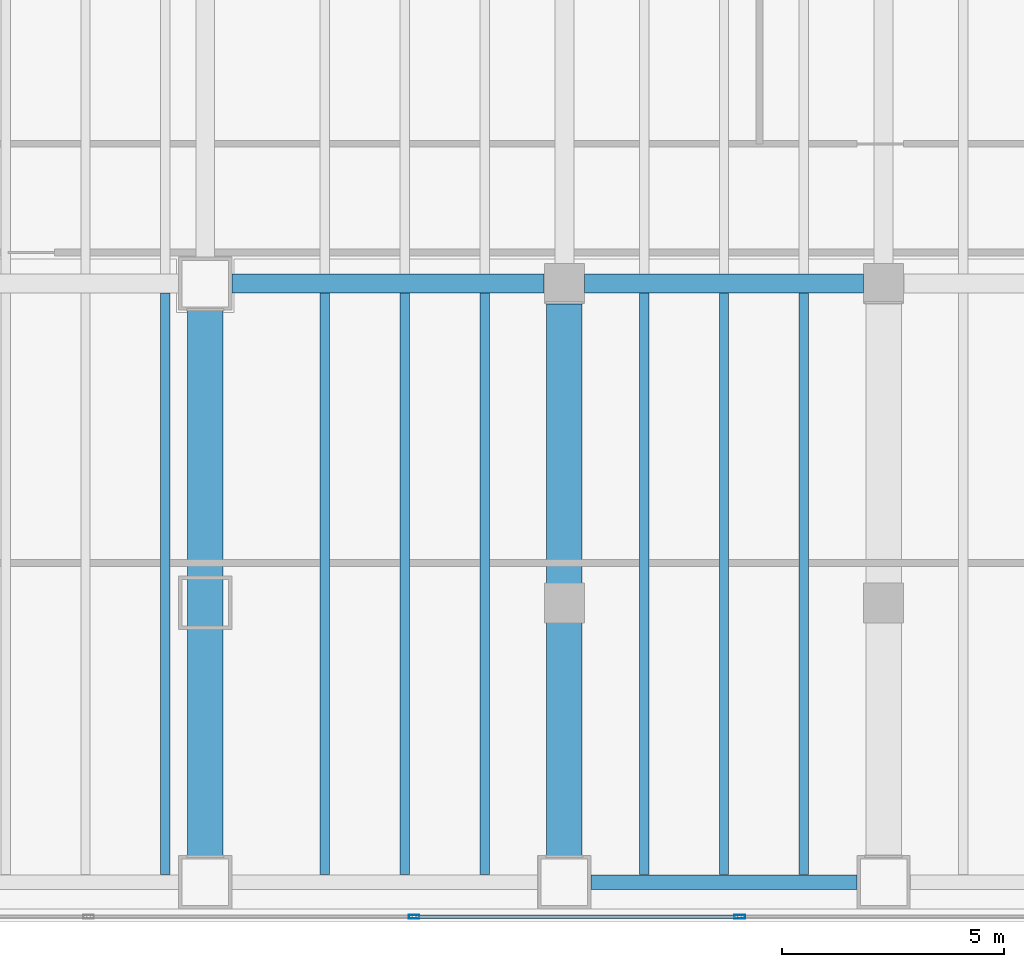
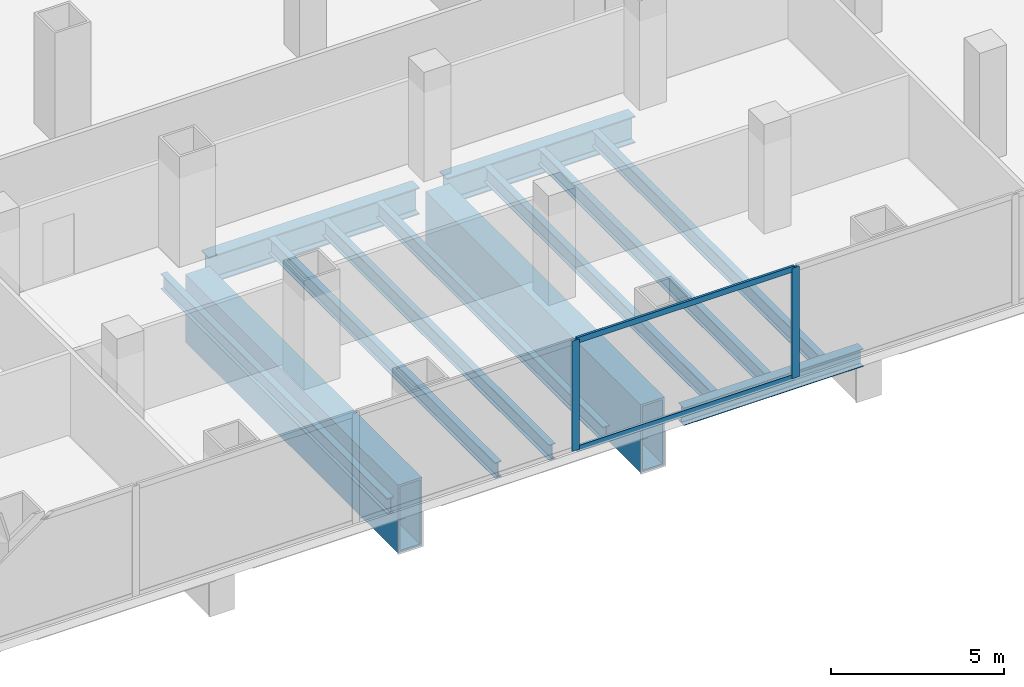
# One storey, part 8 of 34: 12 beams, 4 members, 1 element without a shape of its own.
"""IFC4 building model written with IfcOpenShell, lengths in metres."""

import ifcopenshell
import ifcopenshell.guid

model = None  # the IFC model being written
_history = None  # IfcOwnerHistory: only IFC2X3 demands one
_inside = {}  # id of a spatial element -> (the spatial element, [elements in it])
_under = {}  # id of a project, library or spatial element -> (it, [spatial elements below it])
_declared = {}  # id of a project -> (the project, [libraries it declares])
_typed = {}  # id of a type object -> (the type object, [elements of that type])
_made_of = {}  # id of a material, layer set ... -> (it, [elements and type objects made of it])


def new_model(schema):
    """Start an empty IFC model of exactly this schema.

    Asked for "IFC4X3", IfcOpenShell would pick the latest addendum, in which some entities
    have other attributes; the version numbers below select the first issue.
    IFC2X3 requires an IfcOwnerHistory on every rooted entity: one is made here for all.
    """
    global model, _history
    if schema == "IFC4X3":
        model = ifcopenshell.file(schema_version=(4, 3, 0, 0))
    else:
        model = ifcopenshell.file(schema=schema)
    _inside.clear()
    _under.clear()
    _declared.clear()
    _typed.clear()
    _made_of.clear()
    _history = None
    if model.schema == "IFC2X3":
        org = make("IfcOrganization", Name="unknown")
        user = make(
            "IfcPersonAndOrganization",
            ThePerson=make("IfcPerson", FamilyName="unknown"),
            TheOrganization=org,
        )
        app = make(
            "IfcApplication",
            ApplicationDeveloper=org,
            Version="unknown",
            ApplicationFullName="unknown",
            ApplicationIdentifier="unknown",
        )
        _history = make(
            "IfcOwnerHistory",
            OwningUser=user,
            OwningApplication=app,
            ChangeAction="ADDED",
            CreationDate=0,
        )
    return model


def make(cls, **values):
    """One entity of the class cls with the attributes given. An attribute that is None is left unset."""
    return model.create_entity(
        cls, **{name: value for name, value in values.items() if value is not None}
    )


def rooted(cls, **values):
    """An entity with a GlobalId (a new one), such as an element, a storey or a relation."""
    return make(cls, GlobalId=ifcopenshell.guid.new(), OwnerHistory=_history, **values)


def si_unit(unit_type, name, prefix=None):
    """IfcSIUnit, for example si_unit("LENGTHUNIT", "METRE", prefix="MILLI")."""
    return make("IfcSIUnit", UnitType=unit_type, Prefix=prefix, Name=name)


def assignment(units):
    """IfcUnitAssignment: the units of a project."""
    return None if units is None else make("IfcUnitAssignment", Units=units)


def point(xyz):
    """IfcCartesianPoint."""
    return None if xyz is None else make("IfcCartesianPoint", Coordinates=xyz)


def direction(xyz):
    """IfcDirection."""
    return None if xyz is None else make("IfcDirection", DirectionRatios=xyz)


def frame(location, z_axis=None, x_axis=None):
    """IfcAxis2Placement3D, a coordinate frame: its origin and axes. An axis left out is left unset."""
    return make(
        "IfcAxis2Placement3D",
        Location=point(location),
        Axis=direction(z_axis),
        RefDirection=direction(x_axis),
    )


def frame_2d(location, x_axis=None):
    """IfcAxis2Placement2D, a coordinate frame in the plane: its origin and x axis."""
    return make(
        "IfcAxis2Placement2D", Location=point(location), RefDirection=direction(x_axis)
    )


def origin():
    """The frame at (0, 0, 0) with its axes left unset."""
    return frame((0.0, 0.0, 0.0))


def origin_2d():
    """The frame at (0, 0) in the plane with its x axis left unset."""
    return frame_2d((0.0, 0.0))


def place(relative_to, where):
    """IfcLocalPlacement: puts the frame where relative to a parent placement (None: the world)."""
    return make(
        "IfcLocalPlacement", PlacementRelTo=relative_to, RelativePlacement=where
    )


def context(
    kind, dimensions, precision=None, world=None, true_north=None, identifier=None
):
    """IfcGeometricRepresentationContext, for example the 3D "Model" context."""
    return make(
        "IfcGeometricRepresentationContext",
        ContextIdentifier=identifier,
        ContextType=kind,
        CoordinateSpaceDimension=dimensions,
        Precision=precision,
        WorldCoordinateSystem=world,
        TrueNorth=true_north,
    )


def subcontext(parent, identifier, kind, view, scale=None):
    """IfcGeometricRepresentationSubContext, for example "Body" below "Model"."""
    return make(
        "IfcGeometricRepresentationSubContext",
        ContextIdentifier=identifier,
        ContextType=kind,
        ParentContext=parent,
        TargetScale=scale,
        TargetView=view,
    )


def project(units=None, contexts=None):
    """IfcProject with its units and contexts."""
    return rooted(
        "IfcProject",
        Name="project",
        RepresentationContexts=contexts,
        UnitsInContext=assignment(units),
    )


def spatial(cls, under=None, at=None, **own):
    """A site, building, storey or space (cls), placed at a placement, below another one or the project."""
    s = rooted(cls, ObjectPlacement=at, **own)
    if under is not None:
        _under.setdefault(under.id(), (under, []))[1].append(s)
    return s


def profile(cls, at=None, kind="AREA", **sizes):
    """A parametric profile (cls). Its sizes go by their IFC names, for example OverallWidth=200.0."""
    return make(cls, ProfileType=kind, Position=at, **sizes)


def hollow_rectangle(**sizes):
    """IfcRectangleHollowProfileDef."""
    return profile("IfcRectangleHollowProfileDef", **sizes)


def i_section(**sizes):
    """IfcIShapeProfileDef."""
    return profile("IfcIShapeProfileDef", **sizes)


def extrude(swept, where, along, depth):
    """IfcExtrudedAreaSolid: the profile swept, set in the frame where, extruded along a direction by depth."""
    return make(
        "IfcExtrudedAreaSolid",
        SweptArea=swept,
        Position=where,
        ExtrudedDirection=direction(along),
        Depth=depth,
    )


def shape(context_of_items, identifier, shape_type, items):
    """IfcShapeRepresentation: the items that make up one representation, for example the "Body"."""
    return make(
        "IfcShapeRepresentation",
        ContextOfItems=context_of_items,
        RepresentationIdentifier=identifier,
        RepresentationType=shape_type,
        Items=items,
    )


def material(Name=None, Category=None):
    """IfcMaterial."""
    return make("IfcMaterial", Name=Name, Category=Category)


def material_profile(
    of_material, cross_section, Name=None, Category=None, Priority=None
):
    """IfcMaterialProfile: a cross section and its material."""
    return make(
        "IfcMaterialProfile",
        Name=Name,
        Material=of_material,
        Profile=cross_section,
        Priority=Priority,
        Category=Category,
    )


def profile_set(profiles, Name=None, composite=None):
    """IfcMaterialProfileSet."""
    return make(
        "IfcMaterialProfileSet",
        Name=Name,
        MaterialProfiles=profiles,
        CompositeProfile=composite,
    )


def made_of(thing, what):
    """Note that an element or type object is made of a material, layer set ...; save() writes the relation."""
    if what is not None:
        _made_of.setdefault(what.id(), (what, []))[1].append(thing)
    return thing


def type_object(cls, material=None, **own):
    """A type object (cls), such as IfcWallType, which elements share."""
    return made_of(rooted(cls, **own), material)


def element(
    cls,
    number,
    at=None,
    inside=None,
    cuts=None,
    type_object=None,
    material=None,
    context=None,
    identifier="Body",
    shape_type=None,
    held_by="IfcProductDefinitionShape",
    body=None,
    shapes=None,
    **own,
):
    """One element of the class cls, such as IfcWall. Its Tag is "e" and its number.

    at: its placement. inside: the storey or other place that contains it. cuts: it is an
    opening in that element (IfcRelVoidsElement). A single representation is given by context,
    identifier, shape_type and body (its items); several are given by shapes. held_by: the class
    of the entity that holds the representations. save() writes the other relations.
    """
    e = rooted(cls, Tag="e%d" % number, ObjectPlacement=at, **own)
    if body is not None:
        shapes = [shape(context, identifier, shape_type, body)]
    if shapes is not None:
        e.Representation = make(held_by, Representations=shapes)
    if inside is not None:
        _inside.setdefault(inside.id(), (inside, []))[1].append(e)
    if cuts is not None:
        rooted(
            "IfcRelVoidsElement", RelatingBuildingElement=cuts, RelatedOpeningElement=e
        )
    if type_object is not None:
        _typed.setdefault(type_object.id(), (type_object, []))[1].append(e)
    return made_of(e, material)


def aggregate(whole, parts):
    """IfcRelAggregates: a whole, such as a stair, and the parts it consists of."""
    return rooted("IfcRelAggregates", RelatingObject=whole, RelatedObjects=parts)


def save(model, path):
    """Write the relations noted so far, then the file.

    IfcRelAggregates (storeys below a building ...), IfcRelContainedInSpatialStructure (elements
    in a storey), IfcRelDefinesByType, IfcRelAssociatesMaterial and IfcRelDeclares: one each for
    every whole, place, type object, material and project.
    """
    for whole, parts in _under.values():
        aggregate(whole, parts)
    for where, things in _inside.values():
        rooted(
            "IfcRelContainedInSpatialStructure",
            RelatedElements=things,
            RelatingStructure=where,
        )
    for kind, things in _typed.values():
        rooted("IfcRelDefinesByType", RelatedObjects=things, RelatingType=kind)
    for what, things in _made_of.values():
        rooted("IfcRelAssociatesMaterial", RelatedObjects=things, RelatingMaterial=what)
    for by, libraries in _declared.values():
        rooted("IfcRelDeclares", RelatingContext=by, RelatedDefinitions=libraries)
    model.write(path)


model = new_model("IFC4")

# Units and contexts
model_context = context("Model", 3, precision=1e-05, world=origin(), true_north=direction((0.0, 1.0)))
body_context = subcontext(model_context, "Body", "Model", "MODEL_VIEW")
ifc_project = project(units=[si_unit("LENGTHUNIT", "METRE"), si_unit("AREAUNIT", "SQUARE_METRE"), si_unit("VOLUMEUNIT", "CUBIC_METRE"), si_unit("PLANEANGLEUNIT", "RADIAN"), si_unit("MASSUNIT", "GRAM", prefix="KILO")], contexts=[model_context])

# Site, building, storey
site_placement = place(None, origin())
site = spatial("IfcSite", under=ifc_project, at=site_placement, CompositionType="ELEMENT")
building_placement = place(site_placement, origin())
building = spatial("IfcBuilding", under=site, at=building_placement, Name="Cobrela Telecom Tower", CompositionType="ELEMENT")
storey_placement = place(building_placement, frame((0.0, 0.0, 5.25)))
storey = spatial("IfcBuildingStorey", under=building, at=storey_placement, Name="L01", CompositionType="ELEMENT", Elevation=5.25)

# Beams
ifc_material_1 = material(Name="Steel ASTM A992 Grade 50", Category="steel")
ifc_material_profile_1 = material_profile(ifc_material_1, i_section(OverallWidth=0.424072265625, OverallDepth=0.947021484375, WebThickness=0.02392578125, FlangeThickness=0.042724609375, FilletRadius=0.02392578125, at=origin_2d()), Name="W36X302")
ifc_profile_set_1 = profile_set([ifc_material_profile_1], Name="Steel ASTM A992 Grade 50")
beam_type_1 = type_object("IfcBeamType", Name="BM-GIRD-01", PredefinedType="USERDEFINED", material=ifc_profile_set_1)
beam_1_placement = place(storey_placement, frame((50.10498046875, 14.39990234375, -0.7734375), z_axis=(1.0, 0.0, 0.0), x_axis=(0.0, 1.0, 0.0)))
element("IfcBeam", 1, at=beam_1_placement, inside=storey, type_object=beam_type_1, Name="L01 Primary Girder X18", ObjectType="GIRDER", PredefinedType="USERDEFINED", context=body_context, shape_type="SweptSolid", body=[
    extrude(i_section(OverallWidth=0.424072265625, OverallDepth=0.947021484375, WebThickness=0.02392578125, FlangeThickness=0.042724609375, FilletRadius=0.02392578125, at=origin_2d()), origin(), (0.0, 0.0, 1.0), 7.0400390625),
])
beam_2_placement = place(storey_placement, frame((58.054931640625, 14.39990234375, -0.7734375), z_axis=(1.0, 0.0, 0.0), x_axis=(0.0, 1.0, 0.0)))
element("IfcBeam", 2, at=beam_2_placement, inside=storey, type_object=beam_type_1, Name="L01 Primary Girder X19", ObjectType="GIRDER", PredefinedType="USERDEFINED", context=body_context, shape_type="SweptSolid", body=[
    extrude(i_section(OverallWidth=0.424072265625, OverallDepth=0.947021484375, WebThickness=0.02392578125, FlangeThickness=0.042724609375, FilletRadius=0.02392578125, at=origin_2d()), origin(), (0.0, 0.0, 1.0), 6.2900390625),
])
ifc_material_profile_2 = material_profile(ifc_material_1, i_section(OverallWidth=0.212890625, OverallDepth=0.549072265625, WebThickness=0.0146484375, FlangeThickness=0.023681640625, FilletRadius=0.013916015625, at=origin_2d()), Name="W21X93")
ifc_profile_set_2 = profile_set([ifc_material_profile_2], Name="Steel ASTM A992 Grade 50")
beam_type_2 = type_object("IfcBeamType", Name="BM-JOIST-01", PredefinedType="JOIST", material=ifc_profile_set_2)
for number, where, z_axis, x_axis, name in (
    (3, (48.60009765625, 1.069091796875, -0.574462890625), (0.0, 1.0, 0.0), (-1.0, 0.0, 0.0), "L01 Secondary Composite Floor Beam J92"),
    (4, (52.199951171875, 1.069091796875, -0.574462890625), (0.0, 1.0, 0.0), (-1.0, 0.0, 0.0), "L01 Secondary Composite Floor Beam J94"),
    (5, (54.0, 1.069091796875, -0.574462890625), (0.0, 1.0, 0.0), (-1.0, 0.0, 0.0), "L01 Secondary Composite Floor Beam J96"),
    (6, (55.800048828125, 1.069091796875, -0.574462890625), (0.0, 1.0, 0.0), (-1.0, 0.0, 0.0), "L01 Secondary Composite Floor Beam J98"),
    (7, (59.39990234375, 1.069091796875, -0.574462890625), (0.0, 1.0, 0.0), (-1.0, 0.0, 0.0), "L01 Secondary Composite Floor Beam J100"),
    (8, (61.199951171875, 1.069091796875, -0.574462890625), (0.0, 1.0, 0.0), (-1.0, 0.0, 0.0), "L01 Secondary Composite Floor Beam J102"),
    (9, (63.0, 1.069091796875, -0.574462890625), (0.0, 1.0, 0.0), (-1.0, 0.0, 0.0), "L01 Secondary Composite Floor Beam J104"),
):
    element("IfcBeam", number, at=place(storey_placement, frame(where, z_axis=z_axis, x_axis=x_axis)), inside=storey, type_object=beam_type_2, Name=name, PredefinedType="JOIST", context=body_context, shape_type="SweptSolid", body=[
        extrude(i_section(OverallWidth=0.212890625, OverallDepth=0.549072265625, WebThickness=0.0146484375, FlangeThickness=0.023681640625, FilletRadius=0.013916015625, at=origin_2d()), origin(), (0.0, 0.0, 1.0), 13.114013671875),
    ])
ifc_material_profile_3 = material_profile(ifc_material_1, i_section(OverallWidth=0.327880859375, OverallDepth=0.6220703125, WebThickness=0.015380859375, FlangeThickness=0.0244140625, FilletRadius=0.014892578125, at=origin_2d()), Name="W24X131")
ifc_profile_set_3 = profile_set([ifc_material_profile_3], Name="Steel ASTM A992 Grade 50")
beam_type_3 = type_object("IfcBeamType", Name="BM-SPAND-01", PredefinedType="SPANDREL", material=ifc_profile_set_3)
beam_3_placement = place(storey_placement, frame((58.205078125, 0.89990234375, -0.611083984375), z_axis=(1.0, 0.0, 0.0), x_axis=(0.0, 1.0, 0.0)))
element("IfcBeam", 10, at=beam_3_placement, inside=storey, type_object=beam_type_3, Name="L01 Perimeter Spandrel X07", PredefinedType="SPANDREL", context=body_context, shape_type="SweptSolid", body=[
    extrude(i_section(OverallWidth=0.327880859375, OverallDepth=0.6220703125, WebThickness=0.015380859375, FlangeThickness=0.0244140625, FilletRadius=0.014892578125, at=origin_2d()), origin(), (0.0, 0.0, 1.0), 5.989990234375),
])
ifc_material_2 = material(Name="Steel ASTM A572 Grade 50", Category="steel")
ifc_material_profile_4 = material_profile(ifc_material_2, hollow_rectangle(XDim=0.800048828125, YDim=2.39990234375, WallThickness=0.070068359375, at=origin_2d()), Name="BOX 2400x800x70")
ifc_profile_set_4 = profile_set([ifc_material_profile_4], Name="Steel ASTM A572 Grade 50")
beam_type_4 = type_object("IfcBeamType", Name="BM-TRG-2400", PredefinedType="USERDEFINED", material=ifc_profile_set_4)
beam_4_placement = place(storey_placement, frame((49.5, 1.5048828125, -1.5), z_axis=(0.0, 1.0, 0.0), x_axis=(-1.0, 0.0, 0.0)))
element("IfcBeam", 11, at=beam_4_placement, inside=storey, type_object=beam_type_4, Name="L01 Transfer Girder 02", ObjectType="GIRDER", PredefinedType="USERDEFINED", context=body_context, shape_type="SweptSolid", body=[
    extrude(hollow_rectangle(XDim=0.800048828125, YDim=2.39990234375, WallThickness=0.070068359375, at=origin_2d()), origin(), (0.0, 0.0, 1.0), 12.2900390625),
])
beam_5_placement = place(storey_placement, frame((57.60009765625, 1.5048828125, -1.5), z_axis=(0.0, 1.0, 0.0), x_axis=(-1.0, 0.0, 0.0)))
element("IfcBeam", 12, at=beam_5_placement, inside=storey, type_object=beam_type_4, Name="L01 Transfer Girder 03", ObjectType="GIRDER", PredefinedType="USERDEFINED", context=body_context, shape_type="SweptSolid", body=[
    extrude(hollow_rectangle(XDim=0.800048828125, YDim=2.39990234375, WallThickness=0.070068359375, at=origin_2d()), origin(), (0.0, 0.0, 1.0), 12.440185546875),
])

# Curtain wall, members
ifc_material_3 = material(Name="Anodized Bronze Aluminium 6063-T6", Category="aluminium")
curtain_wall_type = type_object("IfcCurtainWallType", Name="CW-SYS-CONC", PredefinedType="USERDEFINED", material=ifc_material_3)
curtain_wall_placement = place(storey_placement, origin())
curtain_wall = element("IfcCurtainWall", 13, at=curtain_wall_placement, inside=storey, type_object=curtain_wall_type, Name="L01 Unitised Bronze Curtain Wall 17", ObjectType="UNITISED CURTAIN WALL", PredefinedType="USERDEFINED")
ifc_material_profile_5 = material_profile(ifc_material_3, hollow_rectangle(XDim=0.080078125, YDim=0.239990234375, WallThickness=0.0048828125, at=origin_2d()), Name="ALU 80x240x5")
ifc_profile_set_5 = profile_set([ifc_material_profile_5], Name="Anodized Bronze Aluminium 6063-T6")
member_type_1 = type_object("IfcMemberType", Name="CW-SYS-CONC-MUL", PredefinedType="MULLION", material=ifc_profile_set_5)
member_1_placement = place(storey_placement, frame((61.554443359375, 0.1201171875, 0.0), z_axis=(0.0, 0.0, 1.0), x_axis=(0.0, -1.0, 0.0)))
member_1 = element("IfcMember", 14, at=member_1_placement, type_object=member_type_1, Name="CW-CONC mullion 4", PredefinedType="MULLION", context=body_context, shape_type="SweptSolid", body=[
    extrude(hollow_rectangle(XDim=0.080078125, YDim=0.239990234375, WallThickness=0.0048828125, at=origin_2d()), origin(), (0.0, 0.0, 1.0), 3.89990234375),
])
member_2_placement = place(storey_placement, frame((54.212646484375, 0.1201171875, 0.0), z_axis=(0.0, 0.0, 1.0), x_axis=(0.0, -1.0, 0.0)))
member_2 = element("IfcMember", 15, at=member_2_placement, type_object=member_type_1, Name="CW-CONC mullion 5", PredefinedType="MULLION", context=body_context, shape_type="SweptSolid", body=[
    extrude(hollow_rectangle(XDim=0.080078125, YDim=0.239990234375, WallThickness=0.0048828125, at=origin_2d()), origin(), (0.0, 0.0, 1.0), 3.89990234375),
])
ifc_material_profile_6 = material_profile(ifc_material_3, hollow_rectangle(XDim=0.080078125, YDim=0.199951171875, WallThickness=0.00390625, at=origin_2d()), Name="ALU 80x200x4")
ifc_profile_set_6 = profile_set([ifc_material_profile_6], Name="Anodized Bronze Aluminium 6063-T6")
member_type_2 = type_object("IfcMemberType", Name="CW-SYS-CONC-TRN", PredefinedType="USERDEFINED", material=ifc_profile_set_6)
member_3_placement = place(storey_placement, frame((61.5146484375, 0.1201171875, 0.0400390625), z_axis=(-1.0, 0.0, 0.0), x_axis=(0.0, -1.0, 0.0)))
member_3 = element("IfcMember", 16, at=member_3_placement, type_object=member_type_2, Name="CW-CONC transom 4.1", ObjectType="TRANSOM", PredefinedType="USERDEFINED", context=body_context, shape_type="SweptSolid", body=[
    extrude(hollow_rectangle(XDim=0.080078125, YDim=0.199951171875, WallThickness=0.00390625, at=origin_2d()), origin(), (0.0, 0.0, 1.0), 7.261962890625),
])
member_4_placement = place(storey_placement, frame((61.5146484375, 0.1201171875, 3.860107421875), z_axis=(-1.0, 0.0, 0.0), x_axis=(0.0, -1.0, 0.0)))
member_4 = element("IfcMember", 17, at=member_4_placement, type_object=member_type_2, Name="CW-CONC transom 4.2", ObjectType="TRANSOM", PredefinedType="USERDEFINED", context=body_context, shape_type="SweptSolid", body=[
    extrude(hollow_rectangle(XDim=0.080078125, YDim=0.199951171875, WallThickness=0.00390625, at=origin_2d()), origin(), (0.0, 0.0, 1.0), 7.261962890625),
])
aggregate(curtain_wall, [member_1, member_2, member_3, member_4])

save(model, "model.ifc")
